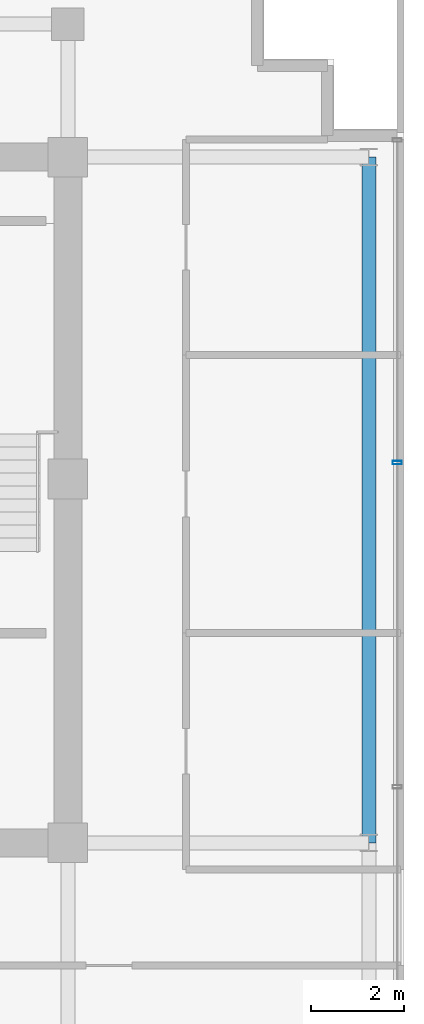
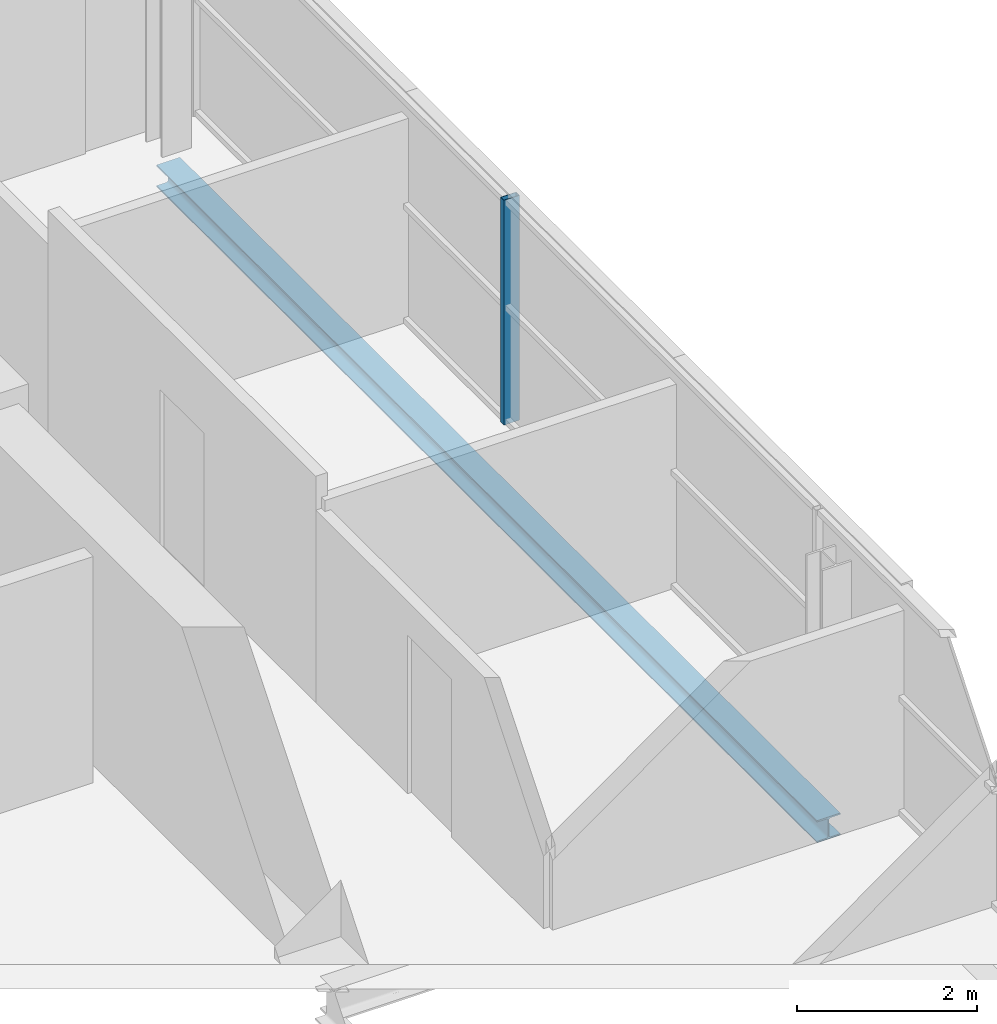
# One storey, part 14 of 28: 1 beam, 1 member, 1 element without a shape of its own.
"""IFC4 building model written with IfcOpenShell, lengths in metres."""

from ifc_helpers import new_model, si_unit, direction, frame, origin, origin_2d, place, context, subcontext, project, spatial, hollow_rectangle, i_section, extrude, source, transform, mapped, material, layer, layer_set, material_profile, profile_set, type_object, element, aggregate, save


model = new_model("IFC4")

# Units and contexts
model_context = context("Model", 3, precision=1e-05, world=origin(), true_north=direction((0.0, 1.0)))
body_context = subcontext(model_context, "Body", "Model", "MODEL_VIEW")
ifc_project = project(units=[si_unit("LENGTHUNIT", "METRE"), si_unit("AREAUNIT", "SQUARE_METRE"), si_unit("VOLUMEUNIT", "CUBIC_METRE"), si_unit("PLANEANGLEUNIT", "RADIAN"), si_unit("MASSUNIT", "GRAM", prefix="KILO")], contexts=[model_context])

# Site, building, storey
site_placement = place(None, origin())
site = spatial("IfcSite", under=ifc_project, at=site_placement, CompositionType="ELEMENT")
building_placement = place(site_placement, origin())
building = spatial("IfcBuilding", under=site, at=building_placement, Name="Zarnakvel Exchange Tower", CompositionType="ELEMENT")
storey_placement = place(building_placement, frame((0.0, 0.0, 261.699951171875)))
storey = spatial("IfcBuildingStorey", under=building, at=storey_placement, Name="L74", CompositionType="ELEMENT", Elevation=261.699951171875)

# Beam
ifc_material_1 = material(Name="Steel S355", Category="steel")
ifc_material_profile_1 = material_profile(ifc_material_1, i_section(OverallWidth=0.300048828125, OverallDepth=0.300048828125, WebThickness=0.010986328125, FlangeThickness=0.01904296875, FilletRadius=0.027099609375, at=origin_2d()))
ifc_profile_set_1 = profile_set([ifc_material_profile_1], Name="Steel S355")
beam_type = type_object("IfcBeamType", Name="SP-03", PredefinedType="SPANDREL", material=ifc_profile_set_1)
beam_placement = place(storey_placement, frame((20.85009765625, -1.199951171875, -0.375), z_axis=(0.0, 1.0, 0.0), x_axis=(-1.0, 0.0, 0.0)))
element("IfcBeam", 1, at=beam_placement, inside=storey, type_object=beam_type, Name="L74 Tower N-S Frame Beam", PredefinedType="SPANDREL", context=body_context, shape_type="SweptSolid", body=[
    extrude(i_section(OverallWidth=0.300048828125, OverallDepth=0.300048828125, WebThickness=0.010986328125, FlangeThickness=0.01904296875, FilletRadius=0.027099609375, at=origin_2d()), origin(), (0.0, 0.0, 1.0), 14.699951171875),
])

# Curtain wall, member
ifc_material_2 = material(Name="Architectural Bronze Anodised Aluminium", Category="aluminium")
ifc_layer = layer(ifc_material_2, 0.199951171875)
ifc_layer_set = layer_set([ifc_layer], Name="Architectural Bronze Anodised Aluminium")
curtain_wall_type = type_object("IfcCurtainWallType", Name="CW-04", PredefinedType="NOTDEFINED", material=ifc_layer_set)
curtain_wall_placement = place(storey_placement, origin())
curtain_wall = element("IfcCurtainWall", 2, at=curtain_wall_placement, inside=storey, type_object=curtain_wall_type, Name="L74 Curtain Wall CW-L74-E1 (CW-04)", PredefinedType="NOTDEFINED")
ifc_material_profile_2 = material_profile(ifc_material_2, hollow_rectangle(XDim=0.199951171875, YDim=0.074951171875, WallThickness=0.0048828125, at=origin_2d()))
ifc_profile_set_2 = profile_set([ifc_material_profile_2], Name="Architectural Bronze Anodised Aluminium")
member_type = type_object("IfcMemberType", Name="CWM-04", PredefinedType="MULLION", material=ifc_profile_set_2)
shared_shape = source(origin(), body_context, "Body", "SweptSolid", [
    extrude(hollow_rectangle(XDim=0.199951171875, YDim=0.074951171875, WallThickness=0.0048828125, at=origin_2d()), origin(), (0.0, 0.0, 1.0), 3.054931640625),
])
member_placement = place(storey_placement, frame((21.4599609375, 6.949951171875, 0.0), z_axis=(0.0, 0.0, 1.0), x_axis=(-1.0, 0.0, 0.0)))
member = element("IfcMember", 3, at=member_placement, type_object=member_type, Name="CW-04 mullion 4", PredefinedType="MULLION", context=body_context, shape_type="MappedRepresentation", body=[
    mapped(shared_shape, transform((0.0, 0.0, 0.0), x_axis=(1.0, 0.0, 0.0), y_axis=(0.0, 1.0, 0.0), z_axis=(0.0, 0.0, 1.0), scale=1.0)),
])
aggregate(curtain_wall, [member])

save(model, "model.ifc")
